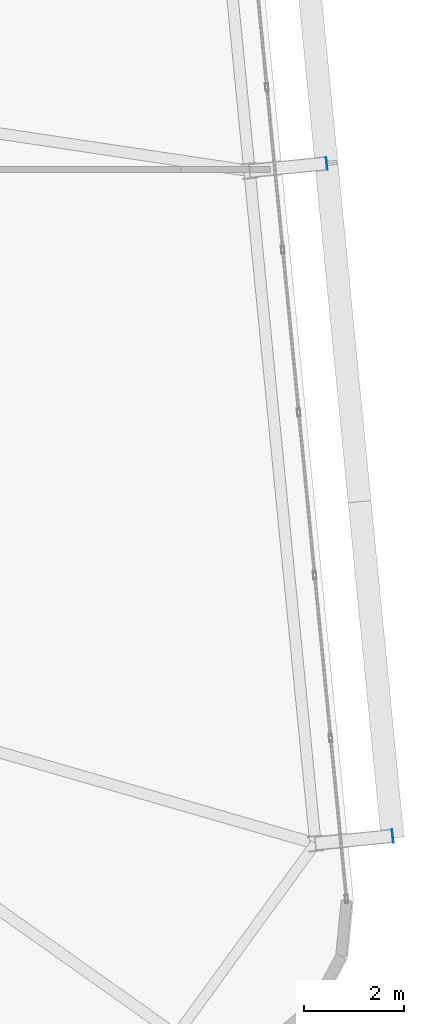
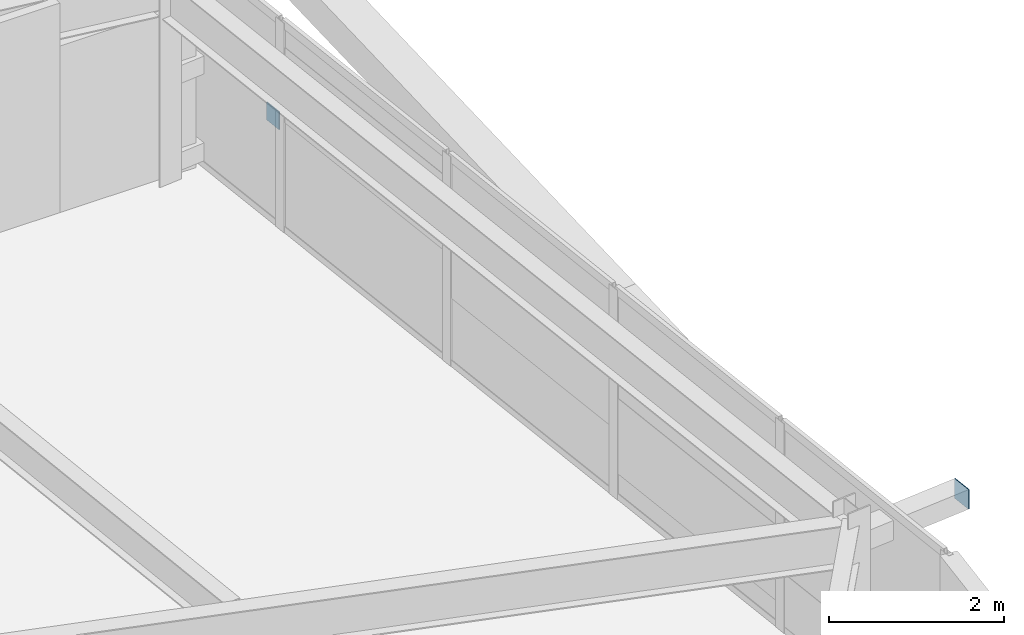
# One storey, part 42 of 53: 2 plates.
"""IFC4 building model written with IfcOpenShell, lengths in metres."""

import ifcopenshell
import ifcopenshell.guid

model = None  # the IFC model being written
_history = None  # IfcOwnerHistory: only IFC2X3 demands one
_inside = {}  # id of a spatial element -> (the spatial element, [elements in it])
_under = {}  # id of a project, library or spatial element -> (it, [spatial elements below it])
_declared = {}  # id of a project -> (the project, [libraries it declares])
_typed = {}  # id of a type object -> (the type object, [elements of that type])
_made_of = {}  # id of a material, layer set ... -> (it, [elements and type objects made of it])


def new_model(schema):
    """Start an empty IFC model of exactly this schema.

    Asked for "IFC4X3", IfcOpenShell would pick the latest addendum, in which some entities
    have other attributes; the version numbers below select the first issue.
    IFC2X3 requires an IfcOwnerHistory on every rooted entity: one is made here for all.
    """
    global model, _history
    if schema == "IFC4X3":
        model = ifcopenshell.file(schema_version=(4, 3, 0, 0))
    else:
        model = ifcopenshell.file(schema=schema)
    _inside.clear()
    _under.clear()
    _declared.clear()
    _typed.clear()
    _made_of.clear()
    _history = None
    if model.schema == "IFC2X3":
        org = make("IfcOrganization", Name="unknown")
        user = make(
            "IfcPersonAndOrganization",
            ThePerson=make("IfcPerson", FamilyName="unknown"),
            TheOrganization=org,
        )
        app = make(
            "IfcApplication",
            ApplicationDeveloper=org,
            Version="unknown",
            ApplicationFullName="unknown",
            ApplicationIdentifier="unknown",
        )
        _history = make(
            "IfcOwnerHistory",
            OwningUser=user,
            OwningApplication=app,
            ChangeAction="ADDED",
            CreationDate=0,
        )
    return model


def make(cls, **values):
    """One entity of the class cls with the attributes given. An attribute that is None is left unset."""
    return model.create_entity(
        cls, **{name: value for name, value in values.items() if value is not None}
    )


def rooted(cls, **values):
    """An entity with a GlobalId (a new one), such as an element, a storey or a relation."""
    return make(cls, GlobalId=ifcopenshell.guid.new(), OwnerHistory=_history, **values)


def si_unit(unit_type, name, prefix=None):
    """IfcSIUnit, for example si_unit("LENGTHUNIT", "METRE", prefix="MILLI")."""
    return make("IfcSIUnit", UnitType=unit_type, Prefix=prefix, Name=name)


def assignment(units):
    """IfcUnitAssignment: the units of a project."""
    return None if units is None else make("IfcUnitAssignment", Units=units)


def point(xyz):
    """IfcCartesianPoint."""
    return None if xyz is None else make("IfcCartesianPoint", Coordinates=xyz)


def direction(xyz):
    """IfcDirection."""
    return None if xyz is None else make("IfcDirection", DirectionRatios=xyz)


def frame(location, z_axis=None, x_axis=None):
    """IfcAxis2Placement3D, a coordinate frame: its origin and axes. An axis left out is left unset."""
    return make(
        "IfcAxis2Placement3D",
        Location=point(location),
        Axis=direction(z_axis),
        RefDirection=direction(x_axis),
    )


def frame_2d(location, x_axis=None):
    """IfcAxis2Placement2D, a coordinate frame in the plane: its origin and x axis."""
    return make(
        "IfcAxis2Placement2D", Location=point(location), RefDirection=direction(x_axis)
    )


def origin():
    """The frame at (0, 0, 0) with its axes left unset."""
    return frame((0.0, 0.0, 0.0))


def origin_2d():
    """The frame at (0, 0) in the plane with its x axis left unset."""
    return frame_2d((0.0, 0.0))


def place(relative_to, where):
    """IfcLocalPlacement: puts the frame where relative to a parent placement (None: the world)."""
    return make(
        "IfcLocalPlacement", PlacementRelTo=relative_to, RelativePlacement=where
    )


def context(
    kind, dimensions, precision=None, world=None, true_north=None, identifier=None
):
    """IfcGeometricRepresentationContext, for example the 3D "Model" context."""
    return make(
        "IfcGeometricRepresentationContext",
        ContextIdentifier=identifier,
        ContextType=kind,
        CoordinateSpaceDimension=dimensions,
        Precision=precision,
        WorldCoordinateSystem=world,
        TrueNorth=true_north,
    )


def subcontext(parent, identifier, kind, view, scale=None):
    """IfcGeometricRepresentationSubContext, for example "Body" below "Model"."""
    return make(
        "IfcGeometricRepresentationSubContext",
        ContextIdentifier=identifier,
        ContextType=kind,
        ParentContext=parent,
        TargetScale=scale,
        TargetView=view,
    )


def project(units=None, contexts=None):
    """IfcProject with its units and contexts."""
    return rooted(
        "IfcProject",
        Name="project",
        RepresentationContexts=contexts,
        UnitsInContext=assignment(units),
    )


def spatial(cls, under=None, at=None, **own):
    """A site, building, storey or space (cls), placed at a placement, below another one or the project."""
    s = rooted(cls, ObjectPlacement=at, **own)
    if under is not None:
        _under.setdefault(under.id(), (under, []))[1].append(s)
    return s


def profile(cls, at=None, kind="AREA", **sizes):
    """A parametric profile (cls). Its sizes go by their IFC names, for example OverallWidth=200.0."""
    return make(cls, ProfileType=kind, Position=at, **sizes)


def rectangle(**sizes):
    """IfcRectangleProfileDef."""
    return profile("IfcRectangleProfileDef", **sizes)


def extrude(swept, where, along, depth):
    """IfcExtrudedAreaSolid: the profile swept, set in the frame where, extruded along a direction by depth."""
    return make(
        "IfcExtrudedAreaSolid",
        SweptArea=swept,
        Position=where,
        ExtrudedDirection=direction(along),
        Depth=depth,
    )


def shape(context_of_items, identifier, shape_type, items):
    """IfcShapeRepresentation: the items that make up one representation, for example the "Body"."""
    return make(
        "IfcShapeRepresentation",
        ContextOfItems=context_of_items,
        RepresentationIdentifier=identifier,
        RepresentationType=shape_type,
        Items=items,
    )


def source(mapping_origin, context_of_items, identifier, shape_type, items):
    """IfcRepresentationMap: a shape defined once, which mapped items show again and again."""
    return make(
        "IfcRepresentationMap",
        MappingOrigin=mapping_origin,
        MappedRepresentation=shape(context_of_items, identifier, shape_type, items),
    )


def transform(
    local_origin,
    x_axis=None,
    y_axis=None,
    z_axis=None,
    scale=None,
    scale2=None,
    scale3=None,
    uniform=True,
):
    """IfcCartesianTransformationOperator3D, or its non-uniform kind. x_axis, y_axis, z_axis: its Axis1, 2, 3."""
    if uniform:
        return make(
            "IfcCartesianTransformationOperator3D",
            Axis1=direction(x_axis),
            Axis2=direction(y_axis),
            LocalOrigin=point(local_origin),
            Scale=scale,
            Axis3=direction(z_axis),
        )
    return make(
        "IfcCartesianTransformationOperator3DnonUniform",
        Axis1=direction(x_axis),
        Axis2=direction(y_axis),
        LocalOrigin=point(local_origin),
        Scale=scale,
        Axis3=direction(z_axis),
        Scale2=scale2,
        Scale3=scale3,
    )


def mapped(mapping_source, mapping_target):
    """IfcMappedItem: shows the shape of a source again, moved by a transform."""
    return make(
        "IfcMappedItem", MappingSource=mapping_source, MappingTarget=mapping_target
    )


def material(Name=None, Category=None):
    """IfcMaterial."""
    return make("IfcMaterial", Name=Name, Category=Category)


def layer(
    of_material, thickness, ventilated=None, Name=None, Category=None, Priority=None
):
    """IfcMaterialLayer: one layer of a wall or slab, of a material (None: an air gap)."""
    return make(
        "IfcMaterialLayer",
        Material=of_material,
        LayerThickness=thickness,
        IsVentilated=ventilated,
        Name=Name,
        Category=Category,
        Priority=Priority,
    )


def layer_set(layers, Name=None):
    """IfcMaterialLayerSet."""
    return make("IfcMaterialLayerSet", MaterialLayers=layers, LayerSetName=Name)


def made_of(thing, what):
    """Note that an element or type object is made of a material, layer set ...; save() writes the relation."""
    if what is not None:
        _made_of.setdefault(what.id(), (what, []))[1].append(thing)
    return thing


def type_object(cls, material=None, **own):
    """A type object (cls), such as IfcWallType, which elements share."""
    return made_of(rooted(cls, **own), material)


def element(
    cls,
    number,
    at=None,
    inside=None,
    cuts=None,
    type_object=None,
    material=None,
    context=None,
    identifier="Body",
    shape_type=None,
    held_by="IfcProductDefinitionShape",
    body=None,
    shapes=None,
    **own,
):
    """One element of the class cls, such as IfcWall. Its Tag is "e" and its number.

    at: its placement. inside: the storey or other place that contains it. cuts: it is an
    opening in that element (IfcRelVoidsElement). A single representation is given by context,
    identifier, shape_type and body (its items); several are given by shapes. held_by: the class
    of the entity that holds the representations. save() writes the other relations.
    """
    e = rooted(cls, Tag="e%d" % number, ObjectPlacement=at, **own)
    if body is not None:
        shapes = [shape(context, identifier, shape_type, body)]
    if shapes is not None:
        e.Representation = make(held_by, Representations=shapes)
    if inside is not None:
        _inside.setdefault(inside.id(), (inside, []))[1].append(e)
    if cuts is not None:
        rooted(
            "IfcRelVoidsElement", RelatingBuildingElement=cuts, RelatedOpeningElement=e
        )
    if type_object is not None:
        _typed.setdefault(type_object.id(), (type_object, []))[1].append(e)
    return made_of(e, material)


def aggregate(whole, parts):
    """IfcRelAggregates: a whole, such as a stair, and the parts it consists of."""
    return rooted("IfcRelAggregates", RelatingObject=whole, RelatedObjects=parts)


def save(model, path):
    """Write the relations noted so far, then the file.

    IfcRelAggregates (storeys below a building ...), IfcRelContainedInSpatialStructure (elements
    in a storey), IfcRelDefinesByType, IfcRelAssociatesMaterial and IfcRelDeclares: one each for
    every whole, place, type object, material and project.
    """
    for whole, parts in _under.values():
        aggregate(whole, parts)
    for where, things in _inside.values():
        rooted(
            "IfcRelContainedInSpatialStructure",
            RelatedElements=things,
            RelatingStructure=where,
        )
    for kind, things in _typed.values():
        rooted("IfcRelDefinesByType", RelatedObjects=things, RelatingType=kind)
    for what, things in _made_of.values():
        rooted("IfcRelAssociatesMaterial", RelatedObjects=things, RelatingMaterial=what)
    for by, libraries in _declared.values():
        rooted("IfcRelDeclares", RelatingContext=by, RelatedDefinitions=libraries)
    model.write(path)


model = new_model("IFC4")

# Units and contexts
model_context = context("Model", 3, precision=1e-05, world=origin(), true_north=direction((0.0, 1.0)))
body_context = subcontext(model_context, "Body", "Model", "MODEL_VIEW")
ifc_project = project(units=[si_unit("LENGTHUNIT", "METRE"), si_unit("AREAUNIT", "SQUARE_METRE"), si_unit("VOLUMEUNIT", "CUBIC_METRE"), si_unit("PLANEANGLEUNIT", "RADIAN"), si_unit("MASSUNIT", "GRAM", prefix="KILO")], contexts=[model_context])

# Site, building, storey
site_placement = place(None, origin())
site = spatial("IfcSite", under=ifc_project, at=site_placement, CompositionType="ELEMENT")
building_placement = place(site_placement, origin())
building = spatial("IfcBuilding", under=site, at=building_placement, Name="Taldren Reach Tower", CompositionType="ELEMENT")
storey_placement = place(building_placement, frame((0.0, 0.0, 80.85009765625)))
storey = spatial("IfcBuildingStorey", under=building, at=storey_placement, Name="L24", CompositionType="ELEMENT", Elevation=80.85009765625)

# Plates
ifc_material_1 = material(Name="Steel Gr 450 (C450L0)", Category="steel")
ifc_layer_1 = layer(ifc_material_1, 0.011962890625)
ifc_layer_set_1 = layer_set([ifc_layer_1], Name="Steel Gr 450 (C450L0)")
plate_type_1 = type_object("IfcPlateType", Name="PL-CAP-275", PredefinedType="SHEET", material=ifc_layer_set_1)
shared_shape_1 = source(origin(), body_context, "Body", "SweptSolid", [
    extrude(rectangle(XDim=0.011962890625, YDim=0.27490234375, at=origin_2d()), origin(), (0.0, 0.0, 1.0), 0.27490234375),
])
plate_1_placement = place(storey_placement, frame((67.440185546875, 8.635498046875, 2.512451171875), z_axis=(0.0, 0.0, 1.0), x_axis=(0.995227399982, 0.097582899759, 0.0)))
element("IfcPlate", 1, at=plate_1_placement, inside=storey, type_object=plate_type_1, Name="Tie strut end cap plate B2-E1 L24", PredefinedType="SHEET", context=body_context, shape_type="MappedRepresentation", body=[
    mapped(shared_shape_1, transform((0.0, 0.0, 0.0), scale=1.0)),
])
ifc_material_2 = material(Name="Steel Gr 350 (C350L0)", Category="steel")
ifc_layer_2 = layer(ifc_material_2, 0.011962890625)
ifc_layer_set_2 = layer_set([ifc_layer_2], Name="Steel Gr 350 (C350L0)")
plate_type_2 = type_object("IfcPlateType", Name="PL-CAP-250", PredefinedType="SHEET", material=ifc_layer_set_2)
shared_shape_2 = source(origin(), body_context, "Body", "SweptSolid", [
    extrude(rectangle(XDim=0.011962890625, YDim=0.25, at=origin_2d()), origin(), (0.0, 0.0, 1.0), 0.25),
])
plate_2_placement = place(storey_placement, frame((66.1181640625, 22.120849609375, 0.094970703125), z_axis=(0.0, 0.0, 1.0), x_axis=(0.995227399982, 0.097582899759, 0.0)))
element("IfcPlate", 2, at=plate_2_placement, inside=storey, type_object=plate_type_2, Name="Tie strut end cap plate B2-E2 L24", PredefinedType="SHEET", context=body_context, shape_type="MappedRepresentation", body=[
    mapped(shared_shape_2, transform((0.0, 0.0, 0.0), scale=1.0)),
])

save(model, "model.ifc")
